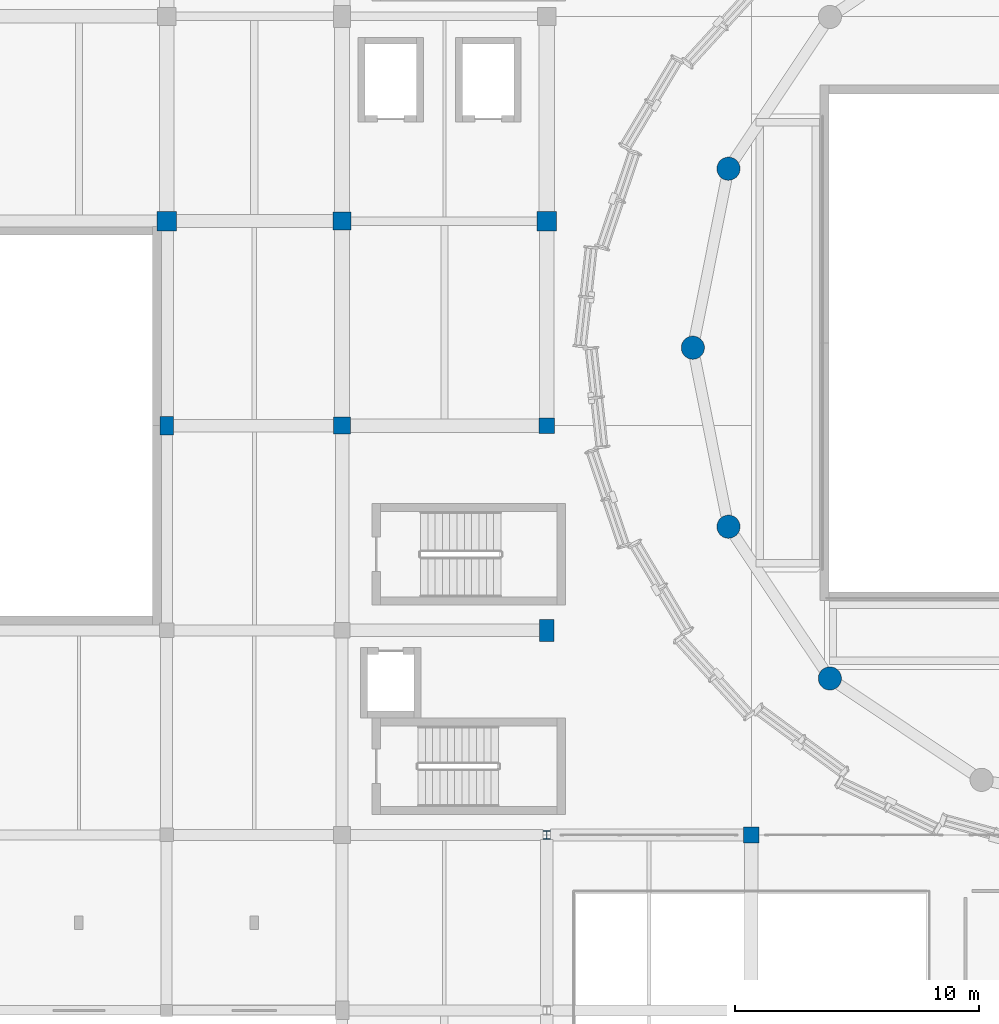
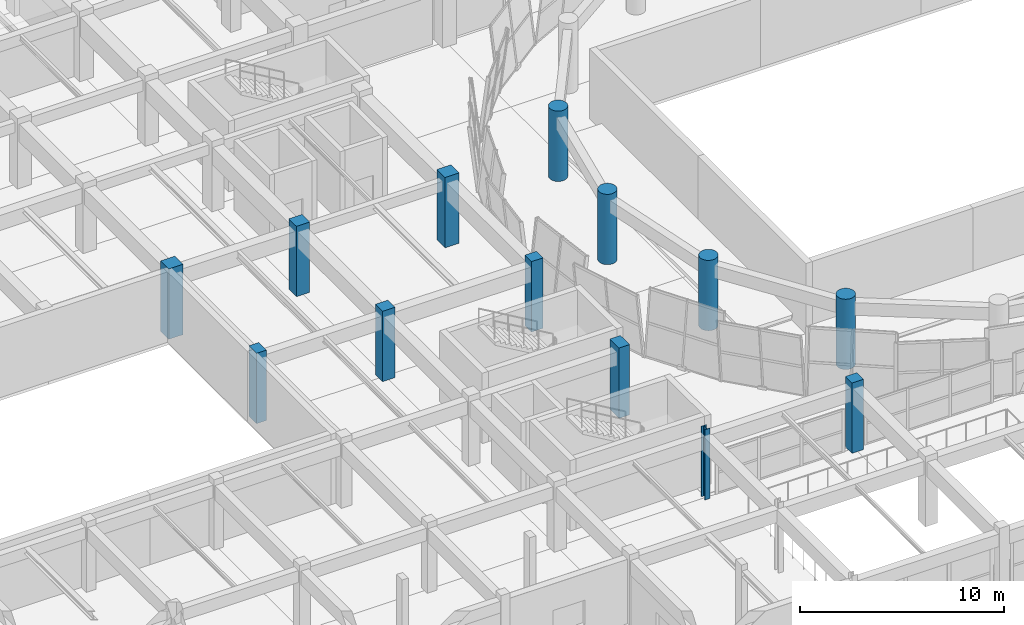
# One storey, part 4 of 71: 13 columns.
"""IFC4 building model written with IfcOpenShell, lengths in metres."""

from ifc_helpers import new_model, si_unit, direction, frame, origin, origin_2d, place, context, subcontext, project, spatial, rectangle, circle, i_section, extrude, material, material_profile, profile_set, type_object, element, save


model = new_model("IFC4")

# Units and contexts
model_context = context("Model", 3, precision=1e-05, world=origin(), true_north=direction((0.0, 1.0)))
body_context = subcontext(model_context, "Body", "Model", "MODEL_VIEW")
ifc_project = project(units=[si_unit("LENGTHUNIT", "METRE"), si_unit("AREAUNIT", "SQUARE_METRE"), si_unit("VOLUMEUNIT", "CUBIC_METRE"), si_unit("PLANEANGLEUNIT", "RADIAN"), si_unit("MASSUNIT", "GRAM", prefix="KILO")], contexts=[model_context])

# Site, building, storey
site_placement = place(None, origin())
site = spatial("IfcSite", under=ifc_project, at=site_placement, CompositionType="ELEMENT")
building_placement = place(site_placement, origin())
building = spatial("IfcBuilding", under=site, at=building_placement, Name="Korsvaeld Concert Hall", CompositionType="ELEMENT")
storey_placement = place(building_placement, frame((0.0, 0.0, 4.800048828125)))
storey = spatial("IfcBuildingStorey", under=building, at=storey_placement, Name="L01", CompositionType="ELEMENT", Elevation=4.800048828125)

# Columns
ifc_material_1 = material(Name="Concrete C40/50", Category="concrete")
ifc_material_profile_1 = material_profile(ifc_material_1, circle(Radius=0.47509765625, at=origin_2d()), Name="RC D950")
ifc_profile_set_1 = profile_set([ifc_material_profile_1], Name="Concrete C40/50")
column_type_1 = type_object("IfcColumnType", Name="COL-DRUM-D950", PredefinedType="COLUMN", material=ifc_profile_set_1)
for number, where, z_axis, x_axis, name in (
    (1, (66.261474609375, 70.547607421875, 0.0), (0.0, 0.0, 1.0), (1.0, 0.0, 0.0), "Drum column D08 L01"),
    (2, (64.800048828125, 63.199951171875, 0.0), (0.0, 0.0, 1.0), (1.0, 0.0, 0.0), "Drum column D09 L01"),
    (3, (66.261474609375, 55.8525390625, 0.0), (0.0, 0.0, 1.0), (1.0, 0.0, 0.0), "Drum column D10 L01"),
    (4, (70.423583984375, 49.62353515625, 0.0), (0.0, 0.0, 1.0), (1.0, 0.0, 0.0), "Drum column D11 L01"),
):
    element("IfcColumn", number, at=place(storey_placement, frame(where, z_axis=z_axis, x_axis=x_axis)), inside=storey, type_object=column_type_1, Name=name, PredefinedType="COLUMN", context=body_context, shape_type="SweptSolid", body=[
        extrude(circle(Radius=0.47509765625, at=origin_2d()), origin(), (0.0, 0.0, 1.0), 4.199951171875),
    ])
ifc_material_profile_2 = material_profile(ifc_material_1, rectangle(XDim=0.550048828125, YDim=0.75, at=origin_2d()), Name="RC 550x750")
ifc_profile_set_2 = profile_set([ifc_material_profile_2], Name="Concrete C40/50")
column_type_2 = type_object("IfcColumnType", Name="COL-RC-550x750", PredefinedType="COLUMN", material=ifc_profile_set_2)
column_1_placement = place(storey_placement, frame((43.199951171875, 60.0, 0.0), z_axis=(0.0, 0.0, 1.0), x_axis=(1.0, 0.0, 0.0)))
element("IfcColumn", 5, at=column_1_placement, inside=storey, type_object=column_type_2, Name="Column 7/J L01", PredefinedType="COLUMN", context=body_context, shape_type="SweptSolid", body=[
    extrude(rectangle(XDim=0.550048828125, YDim=0.75, at=origin_2d()), origin(), (0.0, 0.0, 1.0), 4.199951171875),
])
ifc_material_profile_3 = material_profile(ifc_material_1, rectangle(XDim=0.60009765625, YDim=0.89990234375, at=origin_2d()), Name="RC 600x900")
ifc_profile_set_3 = profile_set([ifc_material_profile_3], Name="Concrete C40/50")
column_type_3 = type_object("IfcColumnType", Name="COL-RC-600x900", PredefinedType="COLUMN", material=ifc_profile_set_3)
column_2_placement = place(storey_placement, frame((58.800048828125, 51.60009765625, 0.0), z_axis=(0.0, 0.0, 1.0), x_axis=(1.0, 0.0, 0.0)))
element("IfcColumn", 6, at=column_2_placement, inside=storey, type_object=column_type_3, Name="Column 9/H L01", PredefinedType="COLUMN", context=body_context, shape_type="SweptSolid", body=[
    extrude(rectangle(XDim=0.60009765625, YDim=0.89990234375, at=origin_2d()), origin(), (0.0, 0.0, 1.0), 4.199951171875),
])
ifc_material_profile_4 = material_profile(ifc_material_1, rectangle(XDim=0.64990234375, YDim=0.64990234375, at=origin_2d()), Name="RC 650x650")
ifc_profile_set_4 = profile_set([ifc_material_profile_4], Name="Concrete C40/50")
column_type_4 = type_object("IfcColumnType", Name="COL-RC-650x650", PredefinedType="COLUMN", material=ifc_profile_set_4)
for number, where, z_axis, x_axis, name in (
    (7, (67.199951171875, 43.199951171875, 0.0), (0.0, 0.0, 1.0), (1.0, 0.0, 0.0), "Column 10/G L01"),
    (8, (58.800048828125, 60.0, 0.0), (0.0, 0.0, 1.0), (1.0, 0.0, 0.0), "Column 9/J L01"),
):
    element("IfcColumn", number, at=place(storey_placement, frame(where, z_axis=z_axis, x_axis=x_axis)), inside=storey, type_object=column_type_4, Name=name, PredefinedType="COLUMN", context=body_context, shape_type="SweptSolid", body=[
        extrude(rectangle(XDim=0.64990234375, YDim=0.64990234375, at=origin_2d()), origin(), (0.0, 0.0, 1.0), 4.199951171875),
    ])
ifc_material_profile_5 = material_profile(ifc_material_1, rectangle(XDim=0.699951171875, YDim=0.699951171875, at=origin_2d()), Name="RC 700x700")
ifc_profile_set_5 = profile_set([ifc_material_profile_5], Name="Concrete C40/50")
column_type_5 = type_object("IfcColumnType", Name="COL-RC-700x700", PredefinedType="COLUMN", material=ifc_profile_set_5)
column_3_placement = place(storey_placement, frame((50.39990234375, 60.0, 0.0), z_axis=(0.0, 0.0, 1.0), x_axis=(1.0, 0.0, 0.0)))
element("IfcColumn", 9, at=column_3_placement, inside=storey, type_object=column_type_5, Name="Column 8/J L01", PredefinedType="COLUMN", context=body_context, shape_type="SweptSolid", body=[
    extrude(rectangle(XDim=0.699951171875, YDim=0.699951171875, at=origin_2d()), origin(), (0.0, 0.0, 1.0), 4.199951171875),
])
ifc_material_profile_6 = material_profile(ifc_material_1, rectangle(XDim=0.75, YDim=0.75, at=origin_2d()), Name="RC 750x750")
ifc_profile_set_6 = profile_set([ifc_material_profile_6], Name="Concrete C40/50")
column_type_6 = type_object("IfcColumnType", Name="COL-RC-750x750", PredefinedType="COLUMN", material=ifc_profile_set_6)
column_4_placement = place(storey_placement, frame((50.39990234375, 68.39990234375, 0.0), z_axis=(0.0, 0.0, 1.0), x_axis=(1.0, 0.0, 0.0)))
element("IfcColumn", 10, at=column_4_placement, inside=storey, type_object=column_type_6, Name="Column 8/K L01", PredefinedType="COLUMN", context=body_context, shape_type="SweptSolid", body=[
    extrude(rectangle(XDim=0.75, YDim=0.75, at=origin_2d()), origin(), (0.0, 0.0, 1.0), 4.199951171875),
])
ifc_material_profile_7 = material_profile(ifc_material_1, rectangle(XDim=0.800048828125, YDim=0.800048828125, at=origin_2d()), Name="RC 800x800")
ifc_profile_set_7 = profile_set([ifc_material_profile_7], Name="Concrete C40/50")
column_type_7 = type_object("IfcColumnType", Name="COL-RC-800x800", PredefinedType="COLUMN", material=ifc_profile_set_7)
for number, where, z_axis, x_axis, name in (
    (11, (43.199951171875, 68.39990234375, 0.0), (0.0, 0.0, 1.0), (1.0, 0.0, 0.0), "Column 7/K L01"),
    (12, (58.800048828125, 68.39990234375, 0.0), (0.0, 0.0, 1.0), (1.0, 0.0, 0.0), "Column 9/K L01"),
):
    element("IfcColumn", number, at=place(storey_placement, frame(where, z_axis=z_axis, x_axis=x_axis)), inside=storey, type_object=column_type_7, Name=name, PredefinedType="COLUMN", context=body_context, shape_type="SweptSolid", body=[
        extrude(rectangle(XDim=0.800048828125, YDim=0.800048828125, at=origin_2d()), origin(), (0.0, 0.0, 1.0), 4.199951171875),
    ])
ifc_material_2 = material(Name="Steel S355J2", Category="steel")
ifc_material_profile_8 = material_profile(ifc_material_2, i_section(OverallWidth=0.300048828125, OverallDepth=0.360107421875, WebThickness=0.012451171875, FlangeThickness=0.0224609375, FilletRadius=0.027099609375, at=origin_2d()), Name="HEB 360")
ifc_profile_set_8 = profile_set([ifc_material_profile_8], Name="Steel S355J2")
column_type_8 = type_object("IfcColumnType", Name="COL-STL-HEB360", PredefinedType="COLUMN", material=ifc_profile_set_8)
column_5_placement = place(storey_placement, frame((58.800048828125, 43.199951171875, 0.0), z_axis=(0.0, 0.0, 1.0), x_axis=(1.0, 0.0, 0.0)))
element("IfcColumn", 13, at=column_5_placement, inside=storey, type_object=column_type_8, Name="Column 9/G L01", PredefinedType="COLUMN", context=body_context, shape_type="SweptSolid", body=[
    extrude(i_section(OverallWidth=0.300048828125, OverallDepth=0.360107421875, WebThickness=0.012451171875, FlangeThickness=0.0224609375, FilletRadius=0.027099609375, at=origin_2d()), origin(), (0.0, 0.0, 1.0), 4.199951171875),
])

save(model, "model.ifc")
